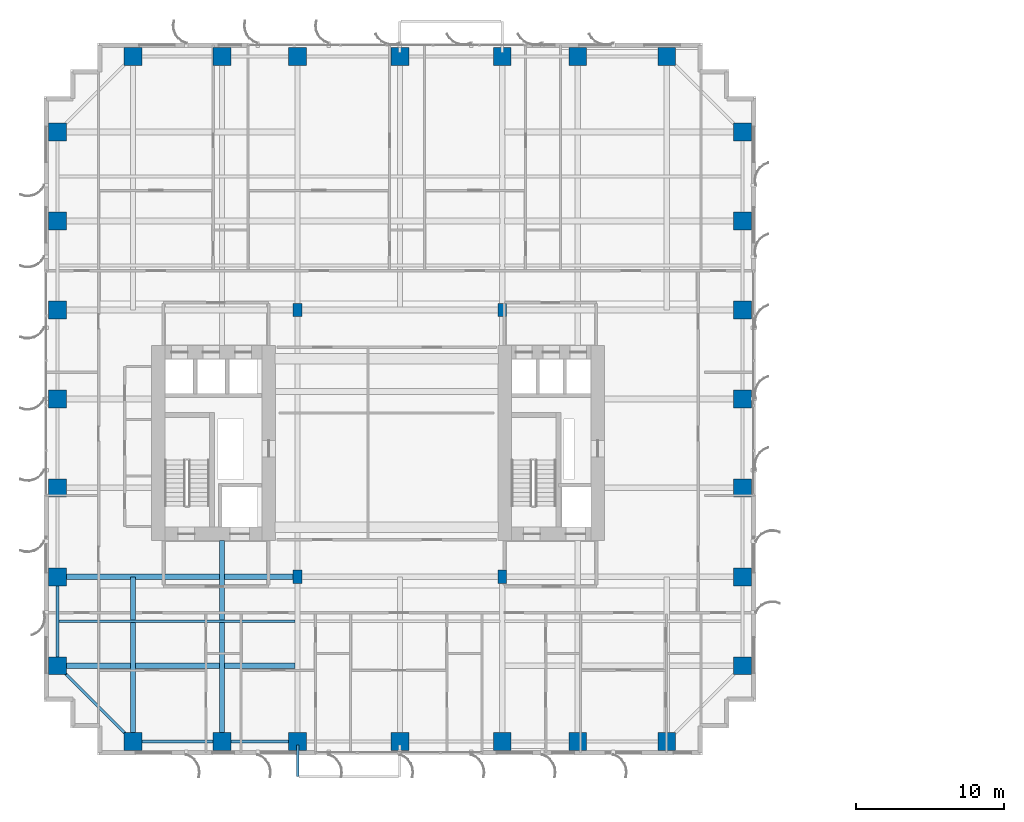
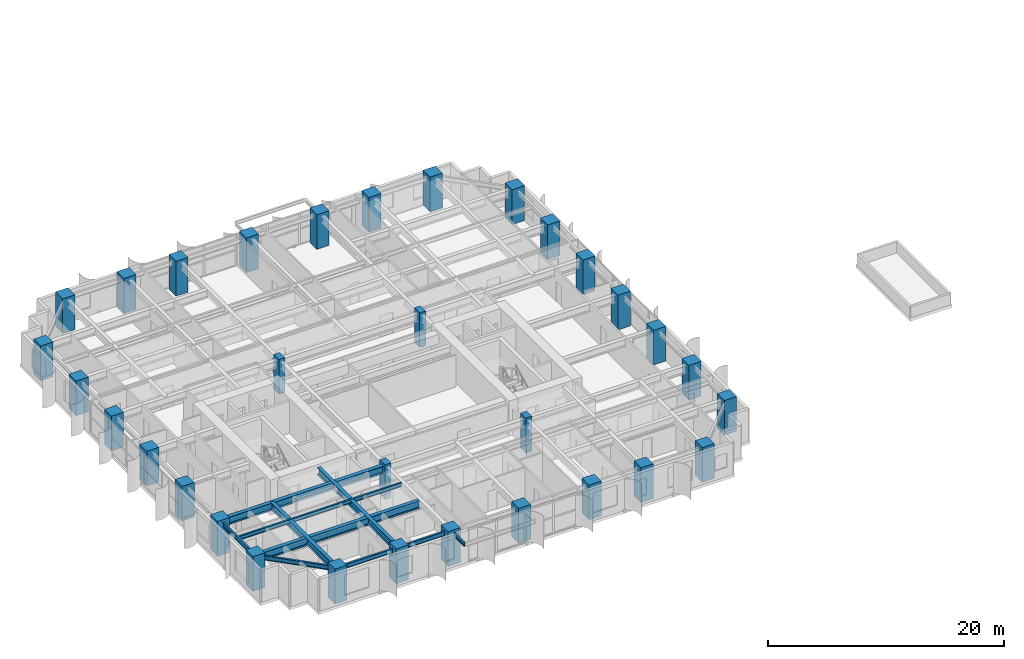
# One storey, part 1 of 26: 32 columns, 10 beams.
"""IFC4 building model written with IfcOpenShell, lengths in metres."""

from ifc_helpers import new_model, si_unit, direction, frame, origin, origin_2d, place, context, subcontext, project, spatial, rectangle, i_section, extrude, source, transform, mapped, material, material_profile, profile_set, type_object, element, save


model = new_model("IFC4")

# Units and contexts
model_context = context("Model", 3, precision=1e-05, world=origin(), true_north=direction((0.0, 1.0)))
body_context = subcontext(model_context, "Body", "Model", "MODEL_VIEW")
ifc_project = project(units=[si_unit("LENGTHUNIT", "METRE"), si_unit("AREAUNIT", "SQUARE_METRE"), si_unit("VOLUMEUNIT", "CUBIC_METRE"), si_unit("PLANEANGLEUNIT", "RADIAN"), si_unit("MASSUNIT", "GRAM", prefix="KILO")], contexts=[model_context])

# Site, building, storey
site_placement = place(None, origin())
site = spatial("IfcSite", under=ifc_project, at=site_placement, CompositionType="ELEMENT")
building_placement = place(site_placement, origin())
building = spatial("IfcBuilding", under=site, at=building_placement, Name="Khoralis Quay Care Tower", CompositionType="ELEMENT")
storey_placement = place(building_placement, frame((0.0, 0.0, 26.10009765625)))
storey = spatial("IfcBuildingStorey", under=building, at=storey_placement, Name="L06", CompositionType="ELEMENT", Elevation=26.10009765625)

# Columns
ifc_material_1 = material(Name="Concrete C80/95", Category="concrete")
ifc_material_profile_1 = material_profile(ifc_material_1, rectangle(XDim=1.199951171875, YDim=1.199951171875, at=origin_2d()), Name="Concrete C80/95")
ifc_profile_set_1 = profile_set([ifc_material_profile_1], Name="Concrete C80/95")
column_type_1 = type_object("IfcColumnType", Name="COL-C1200", PredefinedType="COLUMN", material=ifc_profile_set_1)
shared_shape_1 = source(origin(), body_context, "Body", "SweptSolid", [
    extrude(rectangle(XDim=1.199951171875, YDim=1.199951171875, at=origin_2d()), origin(), (0.0, 0.0, 1.0), 3.599853515625),
])
for number, where, z_axis, x_axis, name in (
    (1, (6.0, 0.89990234375, 0.0), (0.0, 0.0, 1.0), (1.0, 0.0, 0.0), "COL-TWR-L06-01"),
    (2, (6.0, 47.10009765625, 0.0), (0.0, 0.0, 1.0), (1.0, 0.0, 0.0), "COL-TWR-L06-02"),
    (3, (12.0, 0.89990234375, 0.0), (0.0, 0.0, 1.0), (1.0, 0.0, 0.0), "COL-TWR-L06-03"),
    (4, (12.0, 47.10009765625, 0.0), (0.0, 0.0, 1.0), (1.0, 0.0, 0.0), "COL-TWR-L06-04"),
    (5, (17.10009765625, 0.89990234375, 0.0), (0.0, 0.0, 1.0), (1.0, 0.0, 0.0), "COL-TWR-L06-05"),
    (6, (17.10009765625, 47.10009765625, 0.0), (0.0, 0.0, 1.0), (1.0, 0.0, 0.0), "COL-TWR-L06-06"),
    (7, (24.0, 0.89990234375, 0.0), (0.0, 0.0, 1.0), (1.0, 0.0, 0.0), "COL-TWR-L06-07"),
    (8, (24.0, 47.10009765625, 0.0), (0.0, 0.0, 1.0), (1.0, 0.0, 0.0), "COL-TWR-L06-08"),
    (9, (30.89990234375, 0.89990234375, 0.0), (0.0, 0.0, 1.0), (1.0, 0.0, 0.0), "COL-TWR-L06-09"),
    (10, (30.89990234375, 47.10009765625, 0.0), (0.0, 0.0, 1.0), (1.0, 0.0, 0.0), "COL-TWR-L06-10"),
    (11, (36.0, 0.89990234375, 0.0), (0.0, 0.0, 1.0), (1.0, 0.0, 0.0), "COL-TWR-L06-11"),
    (12, (36.0, 47.10009765625, 0.0), (0.0, 0.0, 1.0), (1.0, 0.0, 0.0), "COL-TWR-L06-12"),
    (13, (42.0, 0.89990234375, 0.0), (0.0, 0.0, 1.0), (1.0, 0.0, 0.0), "COL-TWR-L06-13"),
    (14, (42.0, 47.10009765625, 0.0), (0.0, 0.0, 1.0), (1.0, 0.0, 0.0), "COL-TWR-L06-14"),
    (15, (0.89990234375, 6.0, 0.0), (0.0, 0.0, 1.0), (1.0, 0.0, 0.0), "COL-TWR-L06-15"),
    (16, (47.10009765625, 6.0, 0.0), (0.0, 0.0, 1.0), (1.0, 0.0, 0.0), "COL-TWR-L06-16"),
    (17, (0.89990234375, 12.0, 0.0), (0.0, 0.0, 1.0), (1.0, 0.0, 0.0), "COL-TWR-L06-17"),
    (18, (47.10009765625, 12.0, 0.0), (0.0, 0.0, 1.0), (1.0, 0.0, 0.0), "COL-TWR-L06-18"),
    (19, (0.89990234375, 18.0, 0.0), (0.0, 0.0, 1.0), (1.0, 0.0, 0.0), "COL-TWR-L06-19"),
    (20, (47.10009765625, 18.0, 0.0), (0.0, 0.0, 1.0), (1.0, 0.0, 0.0), "COL-TWR-L06-20"),
    (21, (0.89990234375, 24.0, 0.0), (0.0, 0.0, 1.0), (1.0, 0.0, 0.0), "COL-TWR-L06-21"),
    (22, (47.10009765625, 24.0, 0.0), (0.0, 0.0, 1.0), (1.0, 0.0, 0.0), "COL-TWR-L06-22"),
    (23, (0.89990234375, 30.0, 0.0), (0.0, 0.0, 1.0), (1.0, 0.0, 0.0), "COL-TWR-L06-23"),
    (24, (47.10009765625, 30.0, 0.0), (0.0, 0.0, 1.0), (1.0, 0.0, 0.0), "COL-TWR-L06-24"),
    (25, (0.89990234375, 36.0, 0.0), (0.0, 0.0, 1.0), (1.0, 0.0, 0.0), "COL-TWR-L06-25"),
    (26, (47.10009765625, 36.0, 0.0), (0.0, 0.0, 1.0), (1.0, 0.0, 0.0), "COL-TWR-L06-26"),
    (27, (0.89990234375, 42.0, 0.0), (0.0, 0.0, 1.0), (1.0, 0.0, 0.0), "COL-TWR-L06-27"),
    (28, (47.10009765625, 42.0, 0.0), (0.0, 0.0, 1.0), (1.0, 0.0, 0.0), "COL-TWR-L06-28"),
):
    element("IfcColumn", number, at=place(storey_placement, frame(where, z_axis=z_axis, x_axis=x_axis)), inside=storey, type_object=column_type_1, Name=name, PredefinedType="COLUMN", context=body_context, shape_type="MappedRepresentation", body=[
        mapped(shared_shape_1, transform((0.0, 0.0, 0.0), scale=1.0)),
    ])
ifc_material_2 = material(Name="Concrete C65/80", Category="concrete")
ifc_material_profile_2 = material_profile(ifc_material_2, rectangle(XDim=0.60009765625, YDim=0.89990234375, at=origin_2d()), Name="Concrete C65/80")
ifc_profile_set_2 = profile_set([ifc_material_profile_2], Name="Concrete C65/80")
column_type_2 = type_object("IfcColumnType", Name="COL-C600X900", PredefinedType="COLUMN", material=ifc_profile_set_2)
shared_shape_2 = source(origin(), body_context, "Body", "SweptSolid", [
    extrude(rectangle(XDim=0.60009765625, YDim=0.89990234375, at=origin_2d()), origin(), (0.0, 0.0, 1.0), 3.599853515625),
])
for number, where, z_axis, x_axis, name in (
    (29, (17.10009765625, 12.0, 0.0), (0.0, 0.0, 1.0), (1.0, 0.0, 0.0), "COL-TWR-L06-29"),
    (30, (17.10009765625, 30.0, 0.0), (0.0, 0.0, 1.0), (1.0, 0.0, 0.0), "COL-TWR-L06-30"),
    (31, (30.89990234375, 12.0, 0.0), (0.0, 0.0, 1.0), (1.0, 0.0, 0.0), "COL-TWR-L06-31"),
    (32, (30.89990234375, 30.0, 0.0), (0.0, 0.0, 1.0), (1.0, 0.0, 0.0), "COL-TWR-L06-32"),
):
    element("IfcColumn", number, at=place(storey_placement, frame(where, z_axis=z_axis, x_axis=x_axis)), inside=storey, type_object=column_type_2, Name=name, PredefinedType="COLUMN", context=body_context, shape_type="MappedRepresentation", body=[
        mapped(shared_shape_2, transform((0.0, 0.0, 0.0), scale=1.0)),
    ])

# Beams
ifc_material_3 = material(Name="Steel S355", Category="steel")
ifc_material_profile_3 = material_profile(ifc_material_3, i_section(OverallWidth=0.18994140625, OverallDepth=0.449951171875, WebThickness=0.009521484375, FlangeThickness=0.0146484375, FilletRadius=0.02099609375, at=origin_2d()), Name="Steel S355")
ifc_profile_set_3 = profile_set([ifc_material_profile_3], Name="Steel S355")
beam_type_1 = type_object("IfcBeamType", Name="BM-IPE450", PredefinedType="SPANDREL", material=ifc_profile_set_3)
shared_shape_3 = source(origin(), body_context, "Body", "SweptSolid", [
    extrude(i_section(OverallWidth=0.18994140625, OverallDepth=0.449951171875, WebThickness=0.009521484375, FlangeThickness=0.0146484375, FilletRadius=0.02099609375, at=origin_2d()), origin(), (0.0, 0.0, 1.0), 6.0),
])
for number, where, z_axis, x_axis, name in (
    (33, (6.0, 0.89990234375, 3.094970703125), (1.0, 0.0, 0.0), (0.0, 1.0, 0.0), "BM-TSP-L06-01"),
    (34, (0.89990234375, 6.0, 3.094970703125), (0.0, 1.0, 0.0), (-1.0, 0.0, 0.0), "BM-TSP-L06-13"),
):
    element("IfcBeam", number, at=place(storey_placement, frame(where, z_axis=z_axis, x_axis=x_axis)), inside=storey, type_object=beam_type_1, Name=name, PredefinedType="SPANDREL", context=body_context, shape_type="MappedRepresentation", body=[
        mapped(shared_shape_3, transform((0.0, 0.0, 0.0), scale=1.0)),
    ])
shared_shape_4 = source(origin(), body_context, "Body", "SweptSolid", [
    extrude(i_section(OverallWidth=0.18994140625, OverallDepth=0.449951171875, WebThickness=0.009521484375, FlangeThickness=0.0146484375, FilletRadius=0.02099609375, at=origin_2d()), origin(), (0.0, 0.0, 1.0), 5.10009765625),
])
beam_1_placement = place(storey_placement, frame((12.0, 0.89990234375, 3.094970703125), z_axis=(1.0, 0.0, 0.0), x_axis=(0.0, 1.0, 0.0)))
element("IfcBeam", 35, at=beam_1_placement, inside=storey, type_object=beam_type_1, Name="BM-TSP-L06-02", PredefinedType="SPANDREL", context=body_context, shape_type="MappedRepresentation", body=[
    mapped(shared_shape_4, transform((0.0, 0.0, 0.0), scale=1.0)),
])
shared_shape_5 = source(origin(), body_context, "Body", "SweptSolid", [
    extrude(i_section(OverallWidth=0.18994140625, OverallDepth=0.449951171875, WebThickness=0.009521484375, FlangeThickness=0.0146484375, FilletRadius=0.02099609375, at=origin_2d()), origin(), (0.0, 0.0, 1.0), 7.212646484375),
])
beam_2_placement = place(storey_placement, frame((6.0, 0.89990234375, 3.094970703125), z_axis=(-0.707106781187, 0.707106781187, 0.0), x_axis=(-0.707106781187, -0.707106781187, 0.0)))
element("IfcBeam", 36, at=beam_2_placement, inside=storey, type_object=beam_type_1, Name="BM-TCR-L06-25", PredefinedType="SPANDREL", context=body_context, shape_type="MappedRepresentation", body=[
    mapped(shared_shape_5, transform((0.0, 0.0, 0.0), scale=1.0)),
])
ifc_material_profile_4 = material_profile(ifc_material_3, i_section(OverallWidth=0.381103515625, OverallDepth=0.77294921875, WebThickness=0.0166015625, FlangeThickness=0.027587890625, FilletRadius=0.02197265625, at=origin_2d()), Name="Steel S355")
ifc_profile_set_4 = profile_set([ifc_material_profile_4], Name="Steel S355")
beam_type_2 = type_object("IfcBeamType", Name="BM-W760X257", PredefinedType="BEAM", material=ifc_profile_set_4)
shared_shape_6 = source(origin(), body_context, "Body", "SweptSolid", [
    extrude(i_section(OverallWidth=0.381103515625, OverallDepth=0.77294921875, WebThickness=0.0166015625, FlangeThickness=0.027587890625, FilletRadius=0.02197265625, at=origin_2d()), origin(), (0.0, 0.0, 1.0), 16.03466796875),
])
beam_3_placement = place(storey_placement, frame((0.89990234375, 6.0, 2.933349609375), z_axis=(1.0, 0.0, 0.0), x_axis=(0.0, 1.0, 0.0)))
element("IfcBeam", 37, at=beam_3_placement, inside=storey, type_object=beam_type_2, Name="BM-TGXW-L06-60", PredefinedType="BEAM", context=body_context, shape_type="MappedRepresentation", body=[
    mapped(shared_shape_6, transform((0.0, 0.0, 0.0), scale=1.0)),
])
shared_shape_7 = source(origin(), body_context, "Body", "SweptSolid", [
    extrude(i_section(OverallWidth=0.381103515625, OverallDepth=0.77294921875, WebThickness=0.0166015625, FlangeThickness=0.027587890625, FilletRadius=0.02197265625, at=origin_2d()), origin(), (0.0, 0.0, 1.0), 16.2001953125),
])
beam_4_placement = place(storey_placement, frame((0.89990234375, 12.0, 2.933349609375), z_axis=(1.0, 0.0, 0.0), x_axis=(0.0, 1.0, 0.0)))
element("IfcBeam", 38, at=beam_4_placement, inside=storey, type_object=beam_type_2, Name="BM-TGXW-L06-120", PredefinedType="BEAM", context=body_context, shape_type="MappedRepresentation", body=[
    mapped(shared_shape_7, transform((0.0, 0.0, 0.0), scale=1.0)),
])
ifc_material_profile_5 = material_profile(ifc_material_3, i_section(OverallWidth=0.35498046875, OverallDepth=0.695068359375, WebThickness=0.015380859375, FlangeThickness=0.02490234375, FilletRadius=0.02001953125, at=origin_2d()), Name="Steel S355")
ifc_profile_set_5 = profile_set([ifc_material_profile_5], Name="Steel S355")
beam_type_3 = type_object("IfcBeamType", Name="BM-W690X217", PredefinedType="BEAM", material=ifc_profile_set_5)
shared_shape_8 = source(origin(), body_context, "Body", "SweptSolid", [
    extrude(i_section(OverallWidth=0.35498046875, OverallDepth=0.695068359375, WebThickness=0.015380859375, FlangeThickness=0.02490234375, FilletRadius=0.02001953125, at=origin_2d()), origin(), (0.0, 0.0, 1.0), 11.10009765625),
])
beam_5_placement = place(storey_placement, frame((6.0, 0.89990234375, 2.972412109375), z_axis=(0.0, 1.0, 0.0), x_axis=(-1.0, 0.0, 0.0)))
element("IfcBeam", 39, at=beam_5_placement, inside=storey, type_object=beam_type_3, Name="BM-TGYS-L06-60", PredefinedType="BEAM", context=body_context, shape_type="MappedRepresentation", body=[
    mapped(shared_shape_8, transform((0.0, 0.0, 0.0), scale=1.0)),
])
shared_shape_9 = source(origin(), body_context, "Body", "SweptSolid", [
    extrude(i_section(OverallWidth=0.35498046875, OverallDepth=0.695068359375, WebThickness=0.015380859375, FlangeThickness=0.02490234375, FilletRadius=0.02001953125, at=origin_2d()), origin(), (0.0, 0.0, 1.0), 13.552001953125),
])
beam_6_placement = place(storey_placement, frame((12.0, 0.89990234375, 2.972412109375), z_axis=(0.0, 1.0, 0.0), x_axis=(-1.0, 0.0, 0.0)))
element("IfcBeam", 40, at=beam_6_placement, inside=storey, type_object=beam_type_3, Name="BM-TGYS-L06-120", PredefinedType="BEAM", context=body_context, shape_type="MappedRepresentation", body=[
    mapped(shared_shape_9, transform((0.0, 0.0, 0.0), scale=1.0)),
])
ifc_material_profile_6 = material_profile(ifc_material_3, i_section(OverallWidth=0.177978515625, OverallDepth=0.406982421875, WebThickness=0.0078125, FlangeThickness=0.0126953125, FilletRadius=0.012939453125, at=origin_2d()), Name="Steel S355")
ifc_profile_set_6 = profile_set([ifc_material_profile_6], Name="Steel S355")
beam_type_4 = type_object("IfcBeamType", Name="BM-W410X60", PredefinedType="JOIST", material=ifc_profile_set_6)
shared_shape_10 = source(origin(), body_context, "Body", "SweptSolid", [
    extrude(i_section(OverallWidth=0.177978515625, OverallDepth=0.406982421875, WebThickness=0.0078125, FlangeThickness=0.0126953125, FilletRadius=0.012939453125, at=origin_2d()), origin(), (0.0, 0.0, 1.0), 15.95361328125),
])
beam_7_placement = place(storey_placement, frame((0.98095703125, 9.0, 3.116455078125), z_axis=(1.0, 0.0, 0.0), x_axis=(0.0, 1.0, 0.0)))
element("IfcBeam", 41, at=beam_7_placement, inside=storey, type_object=beam_type_4, Name="BM-TJS-L06-29", PredefinedType="JOIST", context=body_context, shape_type="MappedRepresentation", body=[
    mapped(shared_shape_10, transform((0.0, 0.0, 0.0), scale=1.0)),
])
ifc_material_profile_7 = material_profile(ifc_material_3, i_section(OverallWidth=0.169921875, OverallDepth=0.360107421875, WebThickness=0.008056640625, FlangeThickness=0.0126953125, FilletRadius=0.01806640625, at=origin_2d()), Name="Steel S355")
ifc_profile_set_7 = profile_set([ifc_material_profile_7], Name="Steel S355")
beam_type_5 = type_object("IfcBeamType", Name="BM-IPE360", PredefinedType="SPANDREL", material=ifc_profile_set_7)
shared_shape_11 = source(origin(), body_context, "Body", "SweptSolid", [
    extrude(i_section(OverallWidth=0.169921875, OverallDepth=0.360107421875, WebThickness=0.008056640625, FlangeThickness=0.0126953125, FilletRadius=0.01806640625, at=origin_2d()), origin(), (0.0, 0.0, 1.0), 2.119873046875),
])
beam_8_placement = place(storey_placement, frame((17.10009765625, 0.64990234375, 3.143798828125), z_axis=(0.0, -1.0, 0.0), x_axis=(1.0, 0.0, 0.0)))
element("IfcBeam", 42, at=beam_8_placement, inside=storey, type_object=beam_type_5, Name="L07 Balcony Cantilever Outrigger Beam 1", PredefinedType="SPANDREL", context=body_context, shape_type="MappedRepresentation", body=[
    mapped(shared_shape_11, transform((0.0, 0.0, 0.0), scale=1.0)),
])

save(model, "model.ifc")
